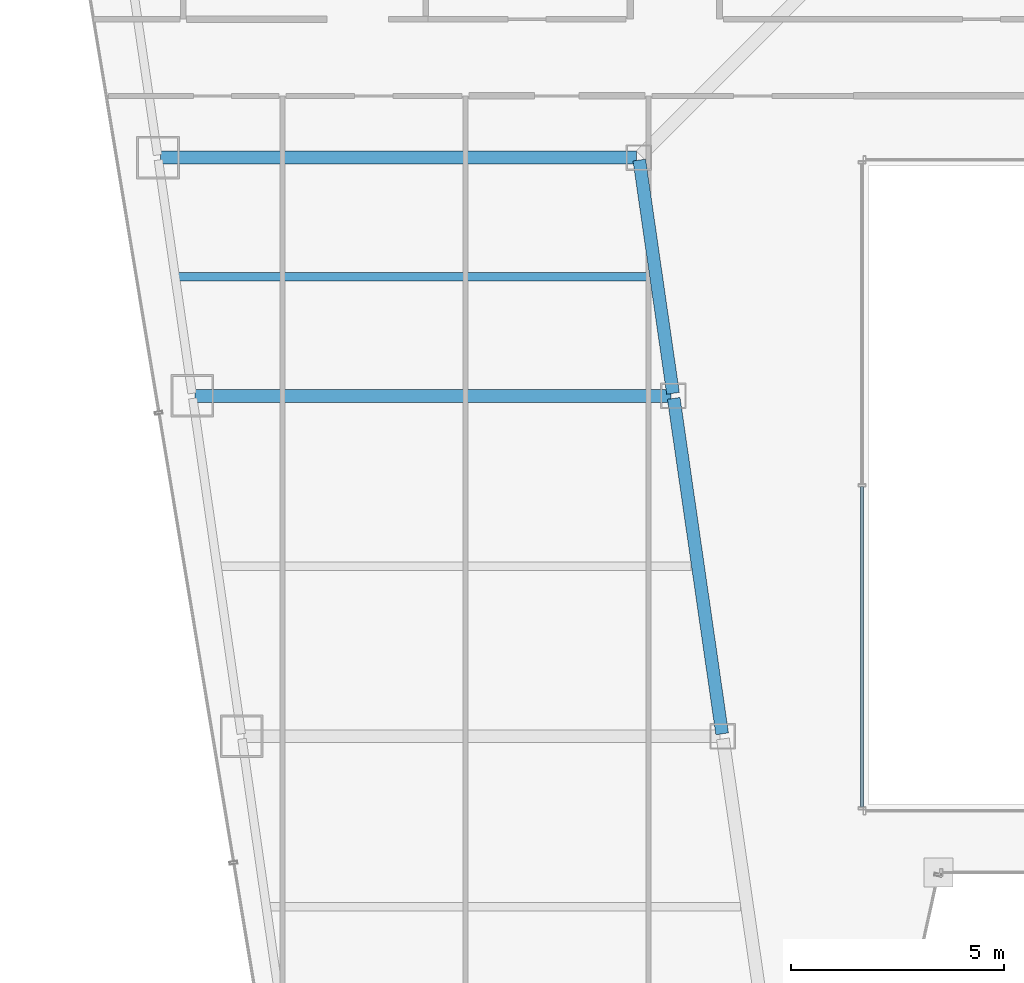
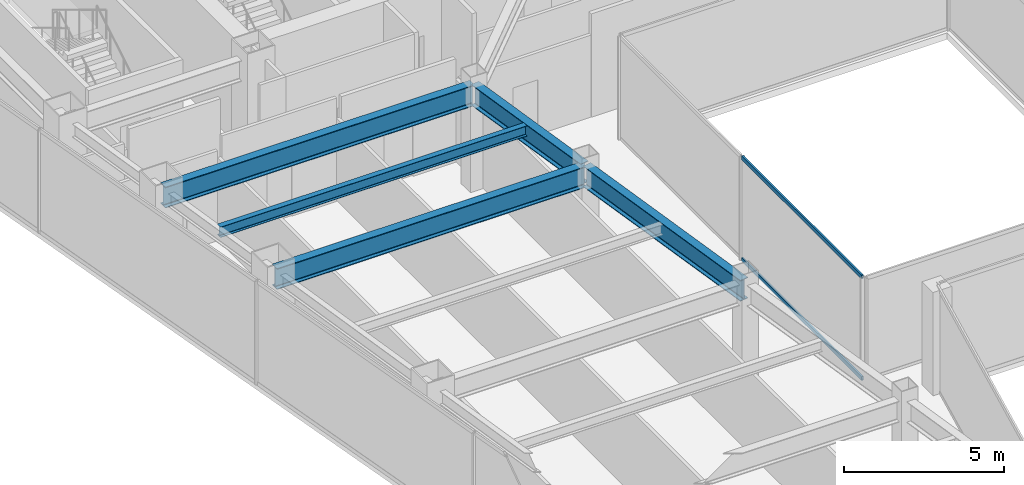
# One storey, part 10 of 36: 5 beams, 2 members, 1 element without a shape of its own.
"""IFC4 building model written with IfcOpenShell, lengths in metres."""

import ifcopenshell
import ifcopenshell.guid

model = None  # the IFC model being written
_history = None  # IfcOwnerHistory: only IFC2X3 demands one
_inside = {}  # id of a spatial element -> (the spatial element, [elements in it])
_under = {}  # id of a project, library or spatial element -> (it, [spatial elements below it])
_declared = {}  # id of a project -> (the project, [libraries it declares])
_typed = {}  # id of a type object -> (the type object, [elements of that type])
_made_of = {}  # id of a material, layer set ... -> (it, [elements and type objects made of it])


def new_model(schema):
    """Start an empty IFC model of exactly this schema.

    Asked for "IFC4X3", IfcOpenShell would pick the latest addendum, in which some entities
    have other attributes; the version numbers below select the first issue.
    IFC2X3 requires an IfcOwnerHistory on every rooted entity: one is made here for all.
    """
    global model, _history
    if schema == "IFC4X3":
        model = ifcopenshell.file(schema_version=(4, 3, 0, 0))
    else:
        model = ifcopenshell.file(schema=schema)
    _inside.clear()
    _under.clear()
    _declared.clear()
    _typed.clear()
    _made_of.clear()
    _history = None
    if model.schema == "IFC2X3":
        org = make("IfcOrganization", Name="unknown")
        user = make(
            "IfcPersonAndOrganization",
            ThePerson=make("IfcPerson", FamilyName="unknown"),
            TheOrganization=org,
        )
        app = make(
            "IfcApplication",
            ApplicationDeveloper=org,
            Version="unknown",
            ApplicationFullName="unknown",
            ApplicationIdentifier="unknown",
        )
        _history = make(
            "IfcOwnerHistory",
            OwningUser=user,
            OwningApplication=app,
            ChangeAction="ADDED",
            CreationDate=0,
        )
    return model


def make(cls, **values):
    """One entity of the class cls with the attributes given. An attribute that is None is left unset."""
    return model.create_entity(
        cls, **{name: value for name, value in values.items() if value is not None}
    )


def rooted(cls, **values):
    """An entity with a GlobalId (a new one), such as an element, a storey or a relation."""
    return make(cls, GlobalId=ifcopenshell.guid.new(), OwnerHistory=_history, **values)


def si_unit(unit_type, name, prefix=None):
    """IfcSIUnit, for example si_unit("LENGTHUNIT", "METRE", prefix="MILLI")."""
    return make("IfcSIUnit", UnitType=unit_type, Prefix=prefix, Name=name)


def assignment(units):
    """IfcUnitAssignment: the units of a project."""
    return None if units is None else make("IfcUnitAssignment", Units=units)


def point(xyz):
    """IfcCartesianPoint."""
    return None if xyz is None else make("IfcCartesianPoint", Coordinates=xyz)


def direction(xyz):
    """IfcDirection."""
    return None if xyz is None else make("IfcDirection", DirectionRatios=xyz)


def frame(location, z_axis=None, x_axis=None):
    """IfcAxis2Placement3D, a coordinate frame: its origin and axes. An axis left out is left unset."""
    return make(
        "IfcAxis2Placement3D",
        Location=point(location),
        Axis=direction(z_axis),
        RefDirection=direction(x_axis),
    )


def frame_2d(location, x_axis=None):
    """IfcAxis2Placement2D, a coordinate frame in the plane: its origin and x axis."""
    return make(
        "IfcAxis2Placement2D", Location=point(location), RefDirection=direction(x_axis)
    )


def origin():
    """The frame at (0, 0, 0) with its axes left unset."""
    return frame((0.0, 0.0, 0.0))


def origin_2d():
    """The frame at (0, 0) in the plane with its x axis left unset."""
    return frame_2d((0.0, 0.0))


def place(relative_to, where):
    """IfcLocalPlacement: puts the frame where relative to a parent placement (None: the world)."""
    return make(
        "IfcLocalPlacement", PlacementRelTo=relative_to, RelativePlacement=where
    )


def context(
    kind, dimensions, precision=None, world=None, true_north=None, identifier=None
):
    """IfcGeometricRepresentationContext, for example the 3D "Model" context."""
    return make(
        "IfcGeometricRepresentationContext",
        ContextIdentifier=identifier,
        ContextType=kind,
        CoordinateSpaceDimension=dimensions,
        Precision=precision,
        WorldCoordinateSystem=world,
        TrueNorth=true_north,
    )


def subcontext(parent, identifier, kind, view, scale=None):
    """IfcGeometricRepresentationSubContext, for example "Body" below "Model"."""
    return make(
        "IfcGeometricRepresentationSubContext",
        ContextIdentifier=identifier,
        ContextType=kind,
        ParentContext=parent,
        TargetScale=scale,
        TargetView=view,
    )


def project(units=None, contexts=None):
    """IfcProject with its units and contexts."""
    return rooted(
        "IfcProject",
        Name="project",
        RepresentationContexts=contexts,
        UnitsInContext=assignment(units),
    )


def spatial(cls, under=None, at=None, **own):
    """A site, building, storey or space (cls), placed at a placement, below another one or the project."""
    s = rooted(cls, ObjectPlacement=at, **own)
    if under is not None:
        _under.setdefault(under.id(), (under, []))[1].append(s)
    return s


def profile(cls, at=None, kind="AREA", **sizes):
    """A parametric profile (cls). Its sizes go by their IFC names, for example OverallWidth=200.0."""
    return make(cls, ProfileType=kind, Position=at, **sizes)


def hollow_rectangle(**sizes):
    """IfcRectangleHollowProfileDef."""
    return profile("IfcRectangleHollowProfileDef", **sizes)


def i_section(**sizes):
    """IfcIShapeProfileDef."""
    return profile("IfcIShapeProfileDef", **sizes)


def extrude(swept, where, along, depth):
    """IfcExtrudedAreaSolid: the profile swept, set in the frame where, extruded along a direction by depth."""
    return make(
        "IfcExtrudedAreaSolid",
        SweptArea=swept,
        Position=where,
        ExtrudedDirection=direction(along),
        Depth=depth,
    )


def shape(context_of_items, identifier, shape_type, items):
    """IfcShapeRepresentation: the items that make up one representation, for example the "Body"."""
    return make(
        "IfcShapeRepresentation",
        ContextOfItems=context_of_items,
        RepresentationIdentifier=identifier,
        RepresentationType=shape_type,
        Items=items,
    )


def material(Name=None, Category=None):
    """IfcMaterial."""
    return make("IfcMaterial", Name=Name, Category=Category)


def material_profile(
    of_material, cross_section, Name=None, Category=None, Priority=None
):
    """IfcMaterialProfile: a cross section and its material."""
    return make(
        "IfcMaterialProfile",
        Name=Name,
        Material=of_material,
        Profile=cross_section,
        Priority=Priority,
        Category=Category,
    )


def profile_set(profiles, Name=None, composite=None):
    """IfcMaterialProfileSet."""
    return make(
        "IfcMaterialProfileSet",
        Name=Name,
        MaterialProfiles=profiles,
        CompositeProfile=composite,
    )


def made_of(thing, what):
    """Note that an element or type object is made of a material, layer set ...; save() writes the relation."""
    if what is not None:
        _made_of.setdefault(what.id(), (what, []))[1].append(thing)
    return thing


def type_object(cls, material=None, **own):
    """A type object (cls), such as IfcWallType, which elements share."""
    return made_of(rooted(cls, **own), material)


def element(
    cls,
    number,
    at=None,
    inside=None,
    cuts=None,
    type_object=None,
    material=None,
    context=None,
    identifier="Body",
    shape_type=None,
    held_by="IfcProductDefinitionShape",
    body=None,
    shapes=None,
    **own,
):
    """One element of the class cls, such as IfcWall. Its Tag is "e" and its number.

    at: its placement. inside: the storey or other place that contains it. cuts: it is an
    opening in that element (IfcRelVoidsElement). A single representation is given by context,
    identifier, shape_type and body (its items); several are given by shapes. held_by: the class
    of the entity that holds the representations. save() writes the other relations.
    """
    e = rooted(cls, Tag="e%d" % number, ObjectPlacement=at, **own)
    if body is not None:
        shapes = [shape(context, identifier, shape_type, body)]
    if shapes is not None:
        e.Representation = make(held_by, Representations=shapes)
    if inside is not None:
        _inside.setdefault(inside.id(), (inside, []))[1].append(e)
    if cuts is not None:
        rooted(
            "IfcRelVoidsElement", RelatingBuildingElement=cuts, RelatedOpeningElement=e
        )
    if type_object is not None:
        _typed.setdefault(type_object.id(), (type_object, []))[1].append(e)
    return made_of(e, material)


def aggregate(whole, parts):
    """IfcRelAggregates: a whole, such as a stair, and the parts it consists of."""
    return rooted("IfcRelAggregates", RelatingObject=whole, RelatedObjects=parts)


def save(model, path):
    """Write the relations noted so far, then the file.

    IfcRelAggregates (storeys below a building ...), IfcRelContainedInSpatialStructure (elements
    in a storey), IfcRelDefinesByType, IfcRelAssociatesMaterial and IfcRelDeclares: one each for
    every whole, place, type object, material and project.
    """
    for whole, parts in _under.values():
        aggregate(whole, parts)
    for where, things in _inside.values():
        rooted(
            "IfcRelContainedInSpatialStructure",
            RelatedElements=things,
            RelatingStructure=where,
        )
    for kind, things in _typed.values():
        rooted("IfcRelDefinesByType", RelatedObjects=things, RelatingType=kind)
    for what, things in _made_of.values():
        rooted("IfcRelAssociatesMaterial", RelatedObjects=things, RelatingMaterial=what)
    for by, libraries in _declared.values():
        rooted("IfcRelDeclares", RelatingContext=by, RelatedDefinitions=libraries)
    model.write(path)


model = new_model("IFC4")

# Units and contexts
model_context = context("Model", 3, precision=1e-05, world=origin(), true_north=direction((0.0, 1.0)))
body_context = subcontext(model_context, "Body", "Model", "MODEL_VIEW")
ifc_project = project(units=[si_unit("LENGTHUNIT", "METRE"), si_unit("AREAUNIT", "SQUARE_METRE"), si_unit("VOLUMEUNIT", "CUBIC_METRE"), si_unit("PLANEANGLEUNIT", "RADIAN"), si_unit("MASSUNIT", "GRAM", prefix="KILO")], contexts=[model_context])

# Site, building, storey
site_placement = place(None, origin())
site = spatial("IfcSite", under=ifc_project, at=site_placement, CompositionType="ELEMENT")
building_placement = place(site_placement, origin())
building = spatial("IfcBuilding", under=site, at=building_placement, Name="Saevonmaru Cultural Tower", CompositionType="ELEMENT")
storey_placement = place(building_placement, frame((0.0, 0.0, 119.199951171875)))
storey = spatial("IfcBuildingStorey", under=building, at=storey_placement, Name="L25", CompositionType="ELEMENT", Elevation=119.199951171875)

# Beams
ifc_material_1 = material(Name="Steel SM420", Category="steel")
ifc_material_profile_1 = material_profile(ifc_material_1, i_section(OverallWidth=0.300048828125, OverallDepth=0.800048828125, WebThickness=0.013916015625, FlangeThickness=0.02587890625, FilletRadius=0.028076171875, at=origin_2d()), Name="H-800x300x14x26")
ifc_profile_set_1 = profile_set([ifc_material_profile_1], Name="Steel SM420")
beam_type_1 = type_object("IfcBeamType", Name="BM-G-H800", PredefinedType="BEAM", material=ifc_profile_set_1)
beam_1_placement = place(storey_placement, frame((20.763427734375, 24.059326171875, 3.550048828125), z_axis=(-0.142902032203, 0.989736838353, 0.0), x_axis=(-0.989736838353, -0.142902032203, 0.0)))
element("IfcBeam", 1, at=beam_1_placement, inside=storey, type_object=beam_type_1, Name="L25 West Atrium Girder 3", PredefinedType="BEAM", context=body_context, shape_type="SweptSolid", body=[
    extrude(i_section(OverallWidth=0.300048828125, OverallDepth=0.800048828125, WebThickness=0.013916015625, FlangeThickness=0.02587890625, FilletRadius=0.028076171875, at=origin_2d()), origin(), (0.0, 0.0, 1.0), 7.963134765625),
])
beam_2_placement = place(storey_placement, frame((19.6083984375, 32.059326171875, 3.550048828125), z_axis=(-0.142964121327, 0.989727871697, 0.0), x_axis=(-0.989727871697, -0.142964121327, 0.0)))
element("IfcBeam", 2, at=beam_2_placement, inside=storey, type_object=beam_type_1, Name="L25 West Atrium Girder 4", PredefinedType="BEAM", context=body_context, shape_type="SweptSolid", body=[
    extrude(i_section(OverallWidth=0.300048828125, OverallDepth=0.800048828125, WebThickness=0.013916015625, FlangeThickness=0.02587890625, FilletRadius=0.028076171875, at=origin_2d()), origin(), (0.0, 0.0, 1.0), 5.5380859375),
])
for number, where, z_axis, x_axis, name in (
    (3, (8.376953125, 32.0, 3.550048828125), (1.0, 0.0, 0.0), (0.0, 1.0, 0.0), "L25 West Wing Transverse Girder 4"),
    (4, (7.568115234375, 37.60009765625, 3.550048828125), (1.0, 0.0, 0.0), (0.0, 1.0, 0.0), "L25 West Wing Transverse Girder 5"),
):
    element("IfcBeam", number, at=place(storey_placement, frame(where, z_axis=z_axis, x_axis=x_axis)), inside=storey, type_object=beam_type_1, Name=name, PredefinedType="BEAM", context=body_context, shape_type="SweptSolid", body=[
        extrude(i_section(OverallWidth=0.300048828125, OverallDepth=0.800048828125, WebThickness=0.013916015625, FlangeThickness=0.02587890625, FilletRadius=0.028076171875, at=origin_2d()), origin(), (0.0, 0.0, 1.0), 11.179931640625),
    ])
ifc_material_2 = material(Name="Steel SM355", Category="steel")
ifc_material_profile_2 = material_profile(ifc_material_2, i_section(OverallWidth=0.199951171875, OverallDepth=0.39990234375, WebThickness=0.008056640625, FlangeThickness=0.012939453125, FilletRadius=0.01611328125, at=origin_2d()), Name="H-400x200x8x13")
ifc_profile_set_2 = profile_set([ifc_material_profile_2], Name="Steel SM355")
beam_type_2 = type_object("IfcBeamType", Name="BM-J-H400", PredefinedType="JOIST", material=ifc_profile_set_2)
beam_3_placement = place(storey_placement, frame((7.972412109375, 34.800048828125, 3.75), z_axis=(1.0, 0.0, 0.0), x_axis=(0.0, 1.0, 0.0)))
element("IfcBeam", 5, at=beam_3_placement, inside=storey, type_object=beam_type_2, Name="L25 West Wing Floor Joist 4", PredefinedType="JOIST", context=body_context, shape_type="SweptSolid", body=[
    extrude(i_section(OverallWidth=0.199951171875, OverallDepth=0.39990234375, WebThickness=0.008056640625, FlangeThickness=0.012939453125, FilletRadius=0.01611328125, at=origin_2d()), origin(), (0.0, 0.0, 1.0), 11.08203125),
])

# Curtain wall, members
ifc_material_3 = material(Name="Satin Bronze Anodised Aluminium", Category="aluminium")
curtain_wall_type = type_object("IfcCurtainWallType", Name="CW-ATR-GLZ", PredefinedType="NOTDEFINED", material=ifc_material_3)
curtain_wall_placement = place(storey_placement, origin())
curtain_wall = element("IfcCurtainWall", 6, at=curtain_wall_placement, inside=storey, type_object=curtain_wall_type, Name="L25 Vertical Atrium Glazed Smoke Screen 4", PredefinedType="NOTDEFINED")
ifc_material_profile_3 = material_profile(ifc_material_3, hollow_rectangle(XDim=0.06494140625, YDim=0.14990234375, WallThickness=0.00390625, at=origin_2d()), Name="ALU-TRAN-150x65x4")
ifc_profile_set_3 = profile_set([ifc_material_profile_3], Name="Satin Bronze Anodised Aluminium")
member_type = type_object("IfcMemberType", Name="TR-CW-INT-150x65", PredefinedType="USERDEFINED", material=ifc_profile_set_3)
member_1_placement = place(storey_placement, frame((24.050048828125, 29.867431640625, 0.032470703125), z_axis=(0.0, -1.0, 0.0), x_axis=(1.0, 0.0, 0.0)))
member_1 = element("IfcMember", 7, at=member_1_placement, type_object=member_type, Name="CW-ATR-L25-4 transom 2.1", ObjectType="TRANSOM", PredefinedType="USERDEFINED", context=body_context, shape_type="SweptSolid", body=[
    extrude(hollow_rectangle(XDim=0.06494140625, YDim=0.14990234375, WallThickness=0.00390625, at=origin_2d()), origin(), (0.0, 0.0, 1.0), 7.52490234375),
])
member_2_placement = place(storey_placement, frame((24.050048828125, 29.867431640625, 3.91748046875), z_axis=(0.0, -1.0, 0.0), x_axis=(1.0, 0.0, 0.0)))
member_2 = element("IfcMember", 8, at=member_2_placement, type_object=member_type, Name="CW-ATR-L25-4 transom 2.2", ObjectType="TRANSOM", PredefinedType="USERDEFINED", context=body_context, shape_type="SweptSolid", body=[
    extrude(hollow_rectangle(XDim=0.06494140625, YDim=0.14990234375, WallThickness=0.00390625, at=origin_2d()), origin(), (0.0, 0.0, 1.0), 7.52490234375),
])
aggregate(curtain_wall, [member_1, member_2])

save(model, "model.ifc")
